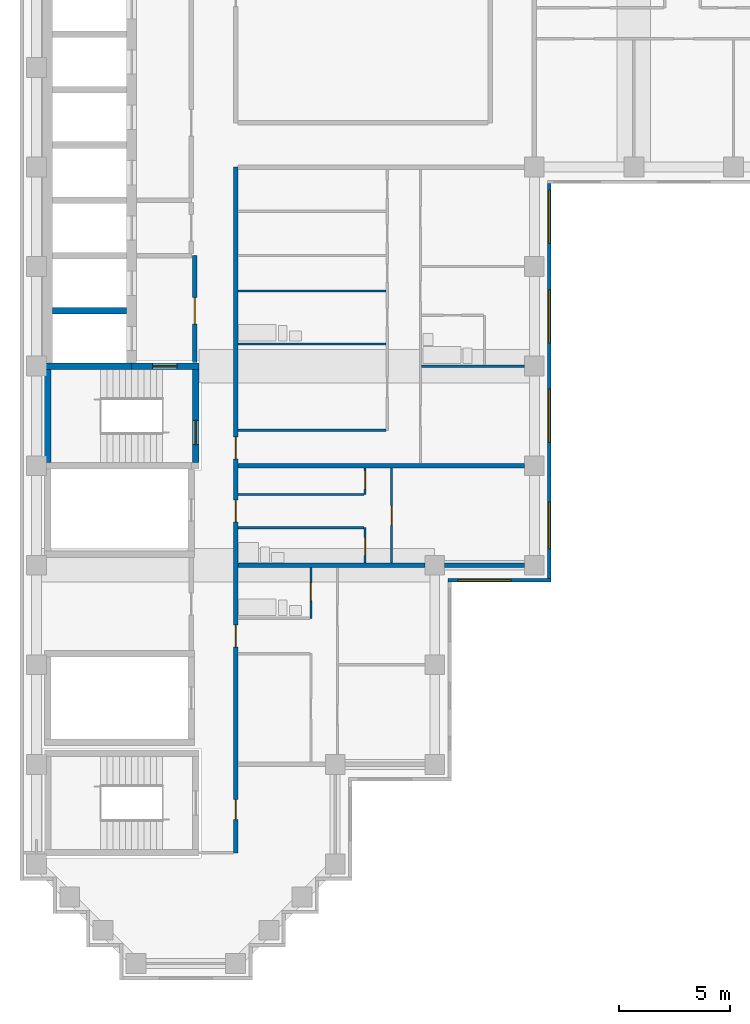
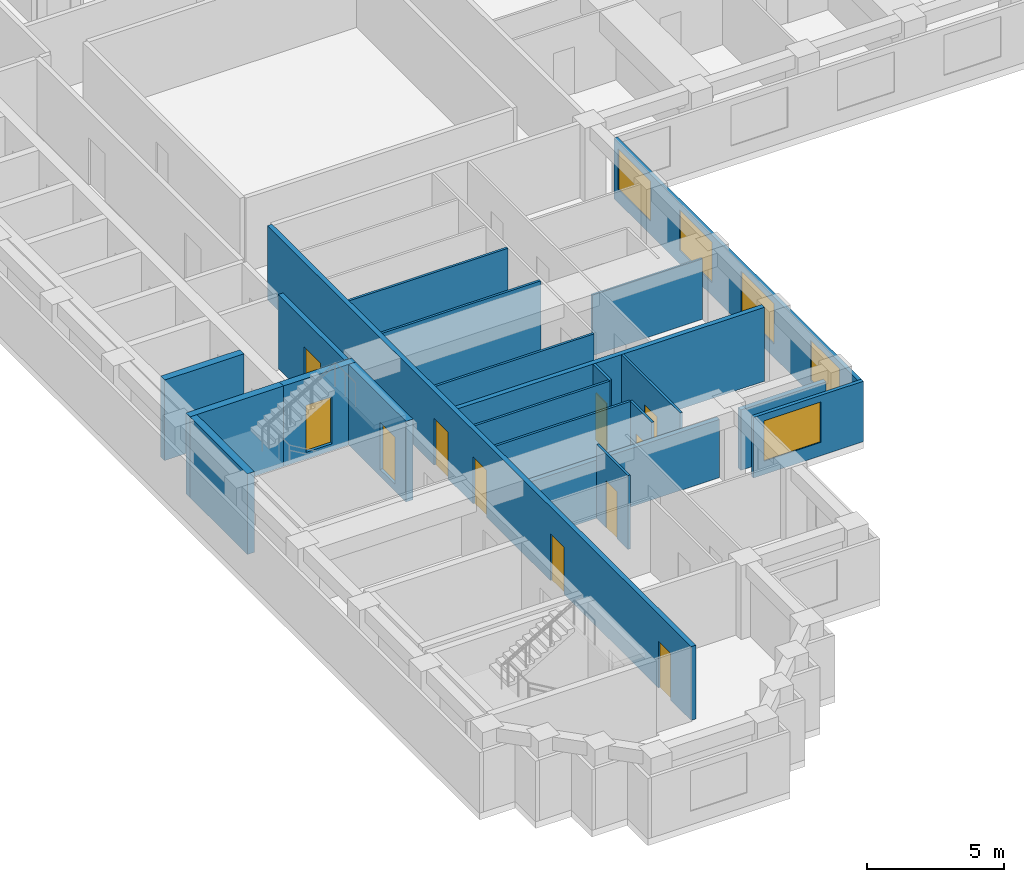
# One storey, part 3 of 10: 22 walls, 11 doors, 5 windows, 16 openings.
"""IFC4 building model written with IfcOpenShell, lengths in metres."""

from ifc_helpers import new_model, si_unit, direction, frame, frame_2d, origin, place, context, subcontext, project, spatial, rectangle, extrude, material, layer, layer_set, type_object, element, fill, save


model = new_model("IFC4")

# Units and contexts
model_context = context("Model", 3, precision=1e-05, world=origin(), true_north=direction((0.0, 1.0)))
body_context = subcontext(model_context, "Body", "Model", "MODEL_VIEW")
ifc_project = project(units=[si_unit("LENGTHUNIT", "METRE"), si_unit("AREAUNIT", "SQUARE_METRE"), si_unit("VOLUMEUNIT", "CUBIC_METRE"), si_unit("PLANEANGLEUNIT", "RADIAN"), si_unit("MASSUNIT", "GRAM", prefix="KILO")], contexts=[model_context])

# Site, building, storey
site_placement = place(None, origin())
site = spatial("IfcSite", under=ifc_project, at=site_placement, CompositionType="ELEMENT")
building_placement = place(site_placement, origin())
building = spatial("IfcBuilding", under=site, at=building_placement, Name="Firuza Court", CompositionType="ELEMENT")
storey_placement = place(building_placement, frame((0.0, 0.0, 189.800048828125)))
storey = spatial("IfcBuildingStorey", under=building, at=storey_placement, Name="L48", CompositionType="ELEMENT", Elevation=189.800048828125)

# Walls
ifc_material_1 = material(Name="Moisture-resistant gypsum board partition")
ifc_layer_1 = layer(ifc_material_1, 0.10009765625)
ifc_layer_set_1 = layer_set([ifc_layer_1], Name="Moisture-resistant gypsum board partition")
wall_type_1 = type_object("IfcWallType", Name="Bathroom partition 100", PredefinedType="PLUMBINGWALL", material=ifc_layer_set_1)
wall_1_placement = place(storey_placement, frame((9.10009765625, 19.699951171875, 0.0), z_axis=(0.0, 0.0, 1.0), x_axis=(1.0, 0.0, 0.0)))
element("IfcWall", 1, at=wall_1_placement, inside=storey, type_object=wall_type_1, Name="Bathroom partition 100 L48", PredefinedType="PLUMBINGWALL", context=body_context, shape_type="SweptSolid", body=[
    extrude(rectangle(XDim=5.699951171875, YDim=0.10009765625, at=frame_2d((2.85009765625, 0.0))), origin(), (0.0, 0.0, 1.0), 3.300048828125),
])
for number, where, z_axis, x_axis, name in (
    (2, (9.10009765625, 28.0, 0.0), (0.0, 0.0, 1.0), (1.0, 0.0, 0.0), "Bathroom partition 100 L48"),
    (3, (9.10009765625, 30.39990234375, 0.0), (0.0, 0.0, 1.0), (1.0, 0.0, 0.0), "Bathroom partition 100 L48"),
):
    element("IfcWall", number, at=place(storey_placement, frame(where, z_axis=z_axis, x_axis=x_axis)), inside=storey, type_object=wall_type_1, Name=name, PredefinedType="PLUMBINGWALL", context=body_context, shape_type="SweptSolid", body=[
        extrude(rectangle(XDim=6.699951171875, YDim=0.10009765625, at=frame_2d((3.35009765625, 0.0))), origin(), (0.0, 0.0, 1.0), 3.300048828125),
    ])
ifc_material_2 = material(Name="Concrete C50/60", Category="concrete")
ifc_layer_2 = layer(ifc_material_2, 0.300048828125)
ifc_layer_set_2 = layer_set([ifc_layer_2], Name="Concrete C50/60")
wall_type_2 = type_object("IfcWallType", Name="Core wall 300 C50/60", PredefinedType="SHEAR", material=ifc_layer_set_2)
wall_2_placement = place(storey_placement, frame((0.35009765625, 27.0, -0.300048828125), z_axis=(0.0, 0.0, 1.0), x_axis=(1.0, 0.0, 0.0)))
element("IfcWall", 4, at=wall_2_placement, inside=storey, type_object=wall_type_2, Name="Core wall lift shaft L48", PredefinedType="SHEAR", context=body_context, shape_type="SweptSolid", body=[
    extrude(rectangle(XDim=3.949951171875, YDim=0.300048828125, at=frame_2d((1.97509765625, 0.0))), origin(), (0.0, 0.0, 1.0), 3.60009765625),
])
wall_3_placement = place(storey_placement, frame((0.5, 22.64990234375, -0.300048828125), z_axis=(0.0, 0.0, 1.0), x_axis=(0.0, 1.0, 0.0)))
element("IfcWall", 5, at=wall_3_placement, inside=storey, type_object=wall_type_2, Name="Core wall stair L48", PredefinedType="SHEAR", context=body_context, shape_type="SweptSolid", body=[
    extrude(rectangle(XDim=4.2001953125, YDim=0.300048828125, at=frame_2d((2.10009765625, 0.0))), origin(), (0.0, 0.0, 1.0), 3.60009765625),
])
wall_4_placement = place(storey_placement, frame((0.72509765625, 29.5, -0.300048828125), z_axis=(0.0, 0.0, 1.0), x_axis=(1.0, 0.0, 0.0)))
element("IfcWall", 6, at=wall_4_placement, inside=storey, type_object=wall_type_2, Name="Core wall lift shaft L48", PredefinedType="SHEAR", context=body_context, shape_type="SweptSolid", body=[
    extrude(rectangle(XDim=3.349853515625, YDim=0.300048828125, at=frame_2d((1.6748046875, 0.0))), origin(), (0.0, 0.0, 1.0), 3.60009765625),
])

# Wall, opening, door
wall_5_placement = place(storey_placement, frame((4.300048828125, 27.0, -0.300048828125), z_axis=(0.0, 0.0, 1.0), x_axis=(1.0, 0.0, 0.0)))
wall_5 = element("IfcWall", 7, at=wall_5_placement, inside=storey, type_object=wall_type_2, Name="Core wall stair L48", PredefinedType="SHEAR", context=body_context, shape_type="SweptSolid", body=[
    extrude(rectangle(XDim=3.050048828125, YDim=0.300048828125, at=frame_2d((1.52490234375, 0.0))), origin(), (0.0, 0.0, 1.0), 3.60009765625),
])
opening_1_placement = place(wall_5_placement, frame((0.949951171875, 0.0, 0.300048828125)))
opening_1 = element("IfcOpeningElement", 8, at=opening_1_placement, cuts=wall_5, Name="Opening D48012", PredefinedType="OPENING", context=body_context, shape_type="SweptSolid", body=[
    extrude(rectangle(XDim=1.10009765625, YDim=2.10009765625, at=frame_2d((0.550048828125, 1.050048828125))), frame((0.0, 0.162109375, 0.0), z_axis=(0.0, -1.0, 0.0), x_axis=(1.0, 0.0, 0.0)), (0.0, 0.0, 1.0), 0.323974609375),
])
ifc_material_3 = material(Name="Timber door leaf in hardwood frame", Category="wood")
door_type_1 = type_object("IfcDoorType", Name="Stair door 1100", OperationType="SINGLE_SWING_LEFT", PredefinedType="DOOR", material=ifc_material_3)
door_1_placement = place(opening_1_placement, frame((1.10009765625, 0.0, 0.0), z_axis=(0.0, 0.0, 1.0), x_axis=(-1.0, 0.0, 0.0)))
door_1 = element("IfcDoor", 9, at=door_1_placement, inside=storey, type_object=door_type_1, Name="Fire-fighting lobby door", OperationType="SINGLE_SWING_LEFT", OverallHeight=2.10009765625, OverallWidth=1.10009765625, PredefinedType="DOOR", context=body_context, shape_type="SweptSolid", body=[
    extrude(rectangle(XDim=1.10009765625, YDim=2.10009765625, at=frame_2d((0.550048828125, 1.050048828125))), frame((0.0, 0.02490234375, 0.0), z_axis=(0.0, -1.0, 0.0), x_axis=(1.0, 0.0, 0.0)), (0.0, 0.0, 1.0), 0.050048828125),
])
fill(opening_1, door_1)

wall_6_placement = place(storey_placement, frame((7.199951171875, 22.64990234375, -0.300048828125), z_axis=(0.0, 0.0, 1.0), x_axis=(0.0, 1.0, 0.0)))
wall_6 = element("IfcWall", 10, at=wall_6_placement, inside=storey, type_object=wall_type_2, Name="Core wall stair L48", PredefinedType="SHEAR", context=body_context, shape_type="SweptSolid", body=[
    extrude(rectangle(XDim=4.2001953125, YDim=0.300048828125, at=frame_2d((2.10009765625, 0.0))), origin(), (0.0, 0.0, 1.0), 3.60009765625),
])
opening_2_placement = place(wall_6_placement, frame((0.800048828125, 0.0, 0.300048828125)))
opening_2 = element("IfcOpeningElement", 11, at=opening_2_placement, cuts=wall_6, Name="Opening D48013", PredefinedType="OPENING", context=body_context, shape_type="SweptSolid", body=[
    extrude(rectangle(XDim=1.10009765625, YDim=2.10009765625, at=frame_2d((0.550048828125, 1.050048828125))), frame((0.0, 0.162109375, 0.0), z_axis=(0.0, -1.0, 0.0), x_axis=(1.0, 0.0, 0.0)), (0.0, 0.0, 1.0), 0.323974609375),
])
door_2_placement = place(opening_2_placement, origin())
door_2 = element("IfcDoor", 12, at=door_2_placement, inside=storey, type_object=door_type_1, Name="Stair door S2", OperationType="SINGLE_SWING_LEFT", OverallHeight=2.10009765625, OverallWidth=1.10009765625, PredefinedType="DOOR", context=body_context, shape_type="SweptSolid", body=[
    extrude(rectangle(XDim=1.10009765625, YDim=2.10009765625, at=frame_2d((0.550048828125, 1.050048828125))), frame((0.0, 0.02490234375, 0.0), z_axis=(0.0, -1.0, 0.0), x_axis=(1.0, 0.0, 0.0)), (0.0, 0.0, 1.0), 0.050048828125),
])
fill(opening_2, door_2)

# Wall, openings, doors
ifc_material_4 = material(Name="Blockwork, plastered both sides", Category="masonry")
ifc_layer_3 = layer(ifc_material_4, 0.199951171875)
ifc_layer_set_3 = layer_set([ifc_layer_3], Name="Blockwork, plastered both sides")
wall_type_3 = type_object("IfcWallType", Name="Corridor wall 200", PredefinedType="PARTITIONING", material=ifc_layer_set_3)
wall_7_placement = place(storey_placement, frame((9.0, 5.0, 0.0), z_axis=(0.0, 0.0, 1.0), x_axis=(0.0, 1.0, 0.0)))
wall_7 = element("IfcWall", 13, at=wall_7_placement, inside=storey, type_object=wall_type_3, Name="Corridor wall 200 L48", PredefinedType="PARTITIONING", context=body_context, shape_type="SweptSolid", body=[
    extrude(rectangle(XDim=31.0, YDim=0.199951171875, at=frame_2d((15.5, 0.0))), origin(), (0.0, 0.0, 1.0), 3.300048828125),
])
opening_3_placement = place(wall_7_placement, frame((17.800048828125, 0.0, 0.0)))
opening_3 = element("IfcOpeningElement", 14, at=opening_3_placement, cuts=wall_7, Name="Opening D48016", PredefinedType="OPENING", context=body_context, shape_type="SweptSolid", body=[
    extrude(rectangle(XDim=1.0, YDim=2.10009765625, at=frame_2d((0.5, 1.050048828125))), frame((0.0, 0.11181640625, 0.0), z_axis=(0.0, -1.0, 0.0), x_axis=(1.0, 0.0, 0.0)), (0.0, 0.0, 1.0), 0.223876953125),
])
opening_4_placement = place(wall_7_placement, frame((14.949951171875, 0.0, 0.0)))
opening_4 = element("IfcOpeningElement", 15, at=opening_4_placement, cuts=wall_7, Name="Opening D48017", PredefinedType="OPENING", context=body_context, shape_type="SweptSolid", body=[
    extrude(rectangle(XDim=1.0, YDim=2.10009765625, at=frame_2d((0.5, 1.050048828125))), frame((0.0, 0.11181640625, 0.0), z_axis=(0.0, -1.0, 0.0), x_axis=(1.0, 0.0, 0.0)), (0.0, 0.0, 1.0), 0.223876953125),
])
opening_5_placement = place(wall_7_placement, frame((9.300048828125, 0.0, 0.0)))
opening_5 = element("IfcOpeningElement", 16, at=opening_5_placement, cuts=wall_7, Name="Opening D48018", PredefinedType="OPENING", context=body_context, shape_type="SweptSolid", body=[
    extrude(rectangle(XDim=1.0, YDim=2.10009765625, at=frame_2d((0.5, 1.050048828125))), frame((0.0, 0.11181640625, 0.0), z_axis=(0.0, -1.0, 0.0), x_axis=(1.0, 0.0, 0.0)), (0.0, 0.0, 1.0), 0.223876953125),
])
opening_6_placement = place(wall_7_placement, frame((1.5, 0.0, 0.0)))
opening_6 = element("IfcOpeningElement", 17, at=opening_6_placement, cuts=wall_7, Name="Opening D48019", PredefinedType="OPENING", context=body_context, shape_type="SweptSolid", body=[
    extrude(rectangle(XDim=0.89990234375, YDim=2.10009765625, at=frame_2d((0.449951171875, 1.050048828125))), frame((0.0, 0.11181640625, 0.0), z_axis=(0.0, -1.0, 0.0), x_axis=(1.0, 0.0, 0.0)), (0.0, 0.0, 1.0), 0.223876953125),
])
ifc_material_5 = material(Name="Timber door leaf in hardwood frame", Category="wood")
door_type_2 = type_object("IfcDoorType", Name="Flat entrance door 1000", OperationType="SINGLE_SWING_LEFT", PredefinedType="DOOR", material=ifc_material_5)
door_3_placement = place(opening_3_placement, origin())
door_3 = element("IfcDoor", 18, at=door_3_placement, inside=storey, type_object=door_type_2, Name="Flat entrance door", OperationType="SINGLE_SWING_LEFT", OverallHeight=2.10009765625, OverallWidth=1.0, PredefinedType="DOOR", context=body_context, shape_type="SweptSolid", body=[
    extrude(rectangle(XDim=1.0, YDim=2.10009765625, at=frame_2d((0.5, 1.050048828125))), frame((0.0, 0.02490234375, 0.0), z_axis=(0.0, -1.0, 0.0), x_axis=(1.0, 0.0, 0.0)), (0.0, 0.0, 1.0), 0.050048828125),
])
fill(opening_3, door_3)
door_4_placement = place(opening_4_placement, origin())
door_4 = element("IfcDoor", 19, at=door_4_placement, inside=storey, type_object=door_type_2, Name="Flat entrance door", OperationType="SINGLE_SWING_LEFT", OverallHeight=2.10009765625, OverallWidth=1.0, PredefinedType="DOOR", context=body_context, shape_type="SweptSolid", body=[
    extrude(rectangle(XDim=1.0, YDim=2.10009765625, at=frame_2d((0.5, 1.050048828125))), frame((0.0, 0.02490234375, 0.0), z_axis=(0.0, -1.0, 0.0), x_axis=(1.0, 0.0, 0.0)), (0.0, 0.0, 1.0), 0.050048828125),
])
fill(opening_4, door_4)
door_5_placement = place(opening_5_placement, origin())
door_5 = element("IfcDoor", 20, at=door_5_placement, inside=storey, type_object=door_type_2, Name="Flat entrance door", OperationType="SINGLE_SWING_LEFT", OverallHeight=2.10009765625, OverallWidth=1.0, PredefinedType="DOOR", context=body_context, shape_type="SweptSolid", body=[
    extrude(rectangle(XDim=1.0, YDim=2.10009765625, at=frame_2d((0.5, 1.050048828125))), frame((0.0, 0.02490234375, 0.0), z_axis=(0.0, -1.0, 0.0), x_axis=(1.0, 0.0, 0.0)), (0.0, 0.0, 1.0), 0.050048828125),
])
fill(opening_5, door_5)
ifc_material_6 = material(Name="Timber door leaf in hardwood frame", Category="wood")
door_type_3 = type_object("IfcDoorType", Name="Room door 900 EI 30", OperationType="SINGLE_SWING_LEFT", PredefinedType="DOOR", material=ifc_material_6)
door_6_placement = place(opening_6_placement, frame((0.89990234375, 0.0, 0.0), z_axis=(0.0, 0.0, 1.0), x_axis=(-1.0, 0.0, 0.0)))
door_6 = element("IfcDoor", 21, at=door_6_placement, inside=storey, type_object=door_type_3, Name="Library door", OperationType="SINGLE_SWING_LEFT", OverallHeight=2.10009765625, OverallWidth=0.89990234375, PredefinedType="DOOR", context=body_context, shape_type="SweptSolid", body=[
    extrude(rectangle(XDim=0.89990234375, YDim=2.10009765625, at=frame_2d((0.449951171875, 1.050048828125))), frame((0.0, 0.02490234375, 0.0), z_axis=(0.0, -1.0, 0.0), x_axis=(1.0, 0.0, 0.0)), (0.0, 0.0, 1.0), 0.050048828125),
])
fill(opening_6, door_6)

# Wall, opening, door
ifc_material_7 = material(Name="Timber stud partition, plasterboard both sides", Category="wood")
ifc_layer_4 = layer(ifc_material_7, 0.10009765625)
ifc_layer_set_4 = layer_set([ifc_layer_4], Name="Timber stud partition, plasterboard both sides")
wall_type_4 = type_object("IfcWallType", Name="Partition wall 100", PredefinedType="PARTITIONING", material=ifc_layer_set_4)
wall_8_placement = place(storey_placement, frame((12.39990234375, 15.60009765625, 0.0), z_axis=(0.0, 0.0, 1.0), x_axis=(0.0, 1.0, 0.0)))
wall_8 = element("IfcWall", 22, at=wall_8_placement, inside=storey, type_object=wall_type_4, Name="Partition wall 100 L48", PredefinedType="PARTITIONING", context=body_context, shape_type="SweptSolid", body=[
    extrude(rectangle(XDim=2.2998046875, YDim=0.10009765625, at=frame_2d((1.14990234375, 0.0))), origin(), (0.0, 0.0, 1.0), 3.300048828125),
])
opening_7_placement = place(wall_8_placement, frame((0.800048828125, 0.0, 0.0)))
opening_7 = element("IfcOpeningElement", 23, at=opening_7_placement, cuts=wall_8, Name="Opening D48024", PredefinedType="OPENING", context=body_context, shape_type="SweptSolid", body=[
    extrude(rectangle(XDim=0.800048828125, YDim=2.10009765625, at=frame_2d((0.39990234375, 1.050048828125))), frame((0.0, 0.06201171875, 0.0), z_axis=(0.0, -1.0, 0.0), x_axis=(1.0, 0.0, 0.0)), (0.0, 0.0, 1.0), 0.1240234375),
])
ifc_material_8 = material(Name="Timber door leaf in hardwood frame", Category="wood")
door_type_4 = type_object("IfcDoorType", Name="Bathroom door 800", OperationType="SINGLE_SWING_LEFT", PredefinedType="DOOR", material=ifc_material_8)
door_7_placement = place(opening_7_placement, origin())
door_7 = element("IfcDoor", 24, at=door_7_placement, inside=storey, type_object=door_type_4, Name="Bathroom door", OperationType="SINGLE_SWING_LEFT", OverallHeight=2.10009765625, OverallWidth=0.800048828125, PredefinedType="DOOR", context=body_context, shape_type="SweptSolid", body=[
    extrude(rectangle(XDim=0.800048828125, YDim=2.10009765625, at=frame_2d((0.39990234375, 1.050048828125))), frame((0.0, 0.02490234375, 0.0), z_axis=(0.0, -1.0, 0.0), x_axis=(1.0, 0.0, 0.0)), (0.0, 0.0, 1.0), 0.050048828125),
])
fill(opening_7, door_7)

wall_9_placement = place(storey_placement, frame((14.85009765625, 18.10009765625, 0.0), z_axis=(0.0, 0.0, 1.0), x_axis=(0.0, 1.0, 0.0)))
wall_9 = element("IfcWall", 25, at=wall_9_placement, inside=storey, type_object=wall_type_4, Name="Partition wall 100 L48", PredefinedType="PARTITIONING", context=body_context, shape_type="SweptSolid", body=[
    extrude(rectangle(XDim=1.599853515625, YDim=0.10009765625, at=frame_2d((0.7998046875, 0.0))), origin(), (0.0, 0.0, 1.0), 3.300048828125),
])
opening_8_placement = place(wall_9_placement, frame((0.35009765625, 0.0, 0.0)))
opening_8 = element("IfcOpeningElement", 26, at=opening_8_placement, cuts=wall_9, Name="Opening D48025", PredefinedType="OPENING", context=body_context, shape_type="SweptSolid", body=[
    extrude(rectangle(XDim=0.800048828125, YDim=2.10009765625, at=frame_2d((0.39990234375, 1.050048828125))), frame((0.0, 0.06201171875, 0.0), z_axis=(0.0, -1.0, 0.0), x_axis=(1.0, 0.0, 0.0)), (0.0, 0.0, 1.0), 0.1240234375),
])
door_8_placement = place(opening_8_placement, origin())
door_8 = element("IfcDoor", 27, at=door_8_placement, inside=storey, type_object=door_type_4, Name="Bathroom door", OperationType="SINGLE_SWING_LEFT", OverallHeight=2.10009765625, OverallWidth=0.800048828125, PredefinedType="DOOR", context=body_context, shape_type="SweptSolid", body=[
    extrude(rectangle(XDim=0.800048828125, YDim=2.10009765625, at=frame_2d((0.39990234375, 1.050048828125))), frame((0.0, 0.02490234375, 0.0), z_axis=(0.0, -1.0, 0.0), x_axis=(1.0, 0.0, 0.0)), (0.0, 0.0, 1.0), 0.050048828125),
])
fill(opening_8, door_8)

wall_10_placement = place(storey_placement, frame((16.050048828125, 18.10009765625, 0.0), z_axis=(0.0, 0.0, 1.0), x_axis=(0.0, 1.0, 0.0)))
wall_10 = element("IfcWall", 28, at=wall_10_placement, inside=storey, type_object=wall_type_4, Name="Partition wall 100 L48", PredefinedType="PARTITIONING", context=body_context, shape_type="SweptSolid", body=[
    extrude(rectangle(XDim=4.2998046875, YDim=0.10009765625, at=frame_2d((2.14990234375, 0.0))), origin(), (0.0, 0.0, 1.0), 3.300048828125),
])
opening_9_placement = place(wall_10_placement, frame((1.699951171875, 0.0, 0.0)))
opening_9 = element("IfcOpeningElement", 29, at=opening_9_placement, cuts=wall_10, Name="Opening D48026", PredefinedType="OPENING", context=body_context, shape_type="SweptSolid", body=[
    extrude(rectangle(XDim=0.89990234375, YDim=2.10009765625, at=frame_2d((0.449951171875, 1.050048828125))), frame((0.0, 0.06201171875, 0.0), z_axis=(0.0, -1.0, 0.0), x_axis=(1.0, 0.0, 0.0)), (0.0, 0.0, 1.0), 0.1240234375),
])
ifc_material_9 = material(Name="Timber door leaf in hardwood frame", Category="wood")
door_type_5 = type_object("IfcDoorType", Name="Room door 900", OperationType="SINGLE_SWING_LEFT", PredefinedType="DOOR", material=ifc_material_9)
door_9_placement = place(opening_9_placement, frame((0.89990234375, 0.0, 0.0), z_axis=(0.0, 0.0, 1.0), x_axis=(-1.0, 0.0, 0.0)))
door_9 = element("IfcDoor", 30, at=door_9_placement, inside=storey, type_object=door_type_5, Name="Studio room door", OperationType="SINGLE_SWING_RIGHT", OverallHeight=2.10009765625, OverallWidth=0.89990234375, PredefinedType="DOOR", context=body_context, shape_type="SweptSolid", body=[
    extrude(rectangle(XDim=0.89990234375, YDim=2.10009765625, at=frame_2d((0.449951171875, 1.050048828125))), frame((0.0, 0.02490234375, 0.0), z_axis=(0.0, -1.0, 0.0), x_axis=(1.0, 0.0, 0.0)), (0.0, 0.0, 1.0), 0.050048828125),
])
fill(opening_9, door_9)

# Wall
wall_11_placement = place(storey_placement, frame((9.10009765625, 21.199951171875, 0.0), z_axis=(0.0, 0.0, 1.0), x_axis=(1.0, 0.0, 0.0)))
element("IfcWall", 31, at=wall_11_placement, inside=storey, type_object=wall_type_4, Name="Partition wall 100 L48", PredefinedType="PARTITIONING", context=body_context, shape_type="SweptSolid", body=[
    extrude(rectangle(XDim=5.699951171875, YDim=0.10009765625, at=frame_2d((2.85009765625, 0.0))), origin(), (0.0, 0.0, 1.0), 3.300048828125),
])

# Wall, opening, door
wall_12_placement = place(storey_placement, frame((14.85009765625, 21.199951171875, 0.0), z_axis=(0.0, 0.0, 1.0), x_axis=(0.0, 1.0, 0.0)))
wall_12 = element("IfcWall", 32, at=wall_12_placement, inside=storey, type_object=wall_type_4, Name="Partition wall 100 L48", PredefinedType="PARTITIONING", context=body_context, shape_type="SweptSolid", body=[
    extrude(rectangle(XDim=1.199951171875, YDim=0.10009765625, at=frame_2d((0.60009765625, 0.0))), origin(), (0.0, 0.0, 1.0), 3.300048828125),
])
opening_10_placement = place(wall_12_placement, frame((0.25, 0.0, 0.0)))
opening_10 = element("IfcOpeningElement", 33, at=opening_10_placement, cuts=wall_12, Name="Opening D48027", PredefinedType="OPENING", context=body_context, shape_type="SweptSolid", body=[
    extrude(rectangle(XDim=0.800048828125, YDim=2.10009765625, at=frame_2d((0.39990234375, 1.050048828125))), frame((0.0, 0.06201171875, 0.0), z_axis=(0.0, -1.0, 0.0), x_axis=(1.0, 0.0, 0.0)), (0.0, 0.0, 1.0), 0.1240234375),
])
ifc_material_10 = material(Name="Timber door leaf in hardwood frame", Category="wood")
door_type_6 = type_object("IfcDoorType", Name="Room door 800", OperationType="SINGLE_SWING_LEFT", PredefinedType="DOOR", material=ifc_material_10)
door_10_placement = place(opening_10_placement, origin())
door_10 = element("IfcDoor", 34, at=door_10_placement, inside=storey, type_object=door_type_6, Name="Kitchen door", OperationType="SINGLE_SWING_LEFT", OverallHeight=2.10009765625, OverallWidth=0.800048828125, PredefinedType="DOOR", context=body_context, shape_type="SweptSolid", body=[
    extrude(rectangle(XDim=0.800048828125, YDim=2.10009765625, at=frame_2d((0.39990234375, 1.050048828125))), frame((0.0, 0.02490234375, 0.0), z_axis=(0.0, -1.0, 0.0), x_axis=(1.0, 0.0, 0.0)), (0.0, 0.0, 1.0), 0.050048828125),
])
fill(opening_10, door_10)

# Walls
wall_13_placement = place(storey_placement, frame((9.10009765625, 24.10009765625, 0.0), z_axis=(0.0, 0.0, 1.0), x_axis=(1.0, 0.0, 0.0)))
element("IfcWall", 35, at=wall_13_placement, inside=storey, type_object=wall_type_4, Name="Partition wall 100 L48", PredefinedType="PARTITIONING", context=body_context, shape_type="SweptSolid", body=[
    extrude(rectangle(XDim=6.699951171875, YDim=0.10009765625, at=frame_2d((3.35009765625, 0.0))), origin(), (0.0, 0.0, 1.0), 3.300048828125),
])
wall_14_placement = place(storey_placement, frame((17.39990234375, 27.0, 0.0), z_axis=(0.0, 0.0, 1.0), x_axis=(1.0, 0.0, 0.0)))
element("IfcWall", 36, at=wall_14_placement, inside=storey, type_object=wall_type_4, Name="Partition wall 100 L48", PredefinedType="PARTITIONING", context=body_context, shape_type="SweptSolid", body=[
    extrude(rectangle(XDim=4.650146484375, YDim=0.10009765625, at=frame_2d((2.3251953125, 0.0))), origin(), (0.0, 0.0, 1.0), 2.699951171875),
])
ifc_layer_5 = layer(ifc_material_4, 0.199951171875)
ifc_layer_set_5 = layer_set([ifc_layer_5], Name="Blockwork, plastered both sides")
wall_type_5 = type_object("IfcWallType", Name="Party wall 200", PredefinedType="PARTITIONING", material=ifc_layer_set_5)
wall_15_placement = place(storey_placement, frame((9.10009765625, 18.0, 0.0), z_axis=(0.0, 0.0, 1.0), x_axis=(1.0, 0.0, 0.0)))
element("IfcWall", 37, at=wall_15_placement, inside=storey, type_object=wall_type_5, Name="Party wall 200 L48", PredefinedType="PARTITIONING", context=body_context, shape_type="SweptSolid", body=[
    extrude(rectangle(XDim=8.449951171875, YDim=0.199951171875, at=frame_2d((4.22509765625, 0.0))), origin(), (0.0, 0.0, 1.0), 2.599853515625),
])
wall_16_placement = place(storey_placement, frame((18.449951171875, 18.0, 0.0), z_axis=(0.0, 0.0, 1.0), x_axis=(1.0, 0.0, 0.0)))
element("IfcWall", 38, at=wall_16_placement, inside=storey, type_object=wall_type_5, Name="Party wall 200 L48", PredefinedType="PARTITIONING", context=body_context, shape_type="SweptSolid", body=[
    extrude(rectangle(XDim=3.60009765625, YDim=0.199951171875, at=frame_2d((1.800048828125, 0.0))), origin(), (0.0, 0.0, 1.0), 2.699951171875),
])
wall_17_placement = place(storey_placement, frame((9.10009765625, 22.5, 0.0), z_axis=(0.0, 0.0, 1.0), x_axis=(1.0, 0.0, 0.0)))
element("IfcWall", 39, at=wall_17_placement, inside=storey, type_object=wall_type_5, Name="Party wall 200 L48", PredefinedType="PARTITIONING", context=body_context, shape_type="SweptSolid", body=[
    extrude(rectangle(XDim=12.949951171875, YDim=0.199951171875, at=frame_2d((6.47509765625, 0.0))), origin(), (0.0, 0.0, 1.0), 3.300048828125),
])

# Wall, opening, window
ifc_material_11 = material(Name="Ceramic tile", Category="ceramic")
ifc_layer_6 = layer(ifc_material_11, 0.02001953125)
ifc_material_12 = material(Name="Mineral wool insulation", Category="insulation")
ifc_layer_7 = layer(ifc_material_12, 0.050048828125)
ifc_material_13 = material(Name="Concrete C40/50 precast", Category="concrete")
ifc_layer_8 = layer(ifc_material_13, 0.080078125)
ifc_layer_set_6 = layer_set([ifc_layer_6, ifc_layer_7, ifc_layer_8], Name="Concrete C40/50 precast")
wall_type_6 = type_object("IfcWallType", Name="Precast cladding wall with turquoise TILE PANEL face 150", PredefinedType="STANDARD", material=ifc_layer_set_6)
wall_18_placement = place(storey_placement, frame((18.60009765625, 17.324951171875, 0.0), z_axis=(0.0, 0.0, 1.0), x_axis=(1.0, 0.0, 0.0)))
wall_18 = element("IfcWall", 40, at=wall_18_placement, inside=storey, type_object=wall_type_6, Name="Facade wall L48 S", PredefinedType="STANDARD", context=body_context, shape_type="SweptSolid", body=[
    extrude(rectangle(XDim=4.64990234375, YDim=0.14990234375, at=frame_2d((2.324951171875, 0.0))), origin(), (0.0, 0.0, 1.0), 2.699951171875),
])
opening_11_placement = place(wall_18_placement, frame((0.449951171875, 0.0, 0.60009765625)))
opening_11 = element("IfcOpeningElement", 41, at=opening_11_placement, cuts=wall_18, Name="Opening W1", PredefinedType="OPENING", context=body_context, shape_type="SweptSolid", body=[
    extrude(rectangle(XDim=2.39990234375, YDim=1.800048828125, at=frame_2d((1.199951171875, 0.89990234375))), frame((0.0, 0.0869140625, 0.0), z_axis=(0.0, -1.0, 0.0), x_axis=(1.0, 0.0, 0.0)), (0.0, 0.0, 1.0), 0.173828125),
])
ifc_material_14 = material(Name="Aluminium frame, triple clear glazing", Category="aluminium")
window_type_1 = type_object("IfcWindowType", Name="Window W1 2400 x 1800", PartitioningType="SINGLE_PANEL", PredefinedType="WINDOW", material=ifc_material_14)
window_1_placement = place(opening_11_placement, origin())
window_1 = element("IfcWindow", 42, at=window_1_placement, inside=storey, type_object=window_type_1, Name="Window L48", OverallHeight=1.800048828125, OverallWidth=2.39990234375, PartitioningType="SINGLE_PANEL", PredefinedType="WINDOW", context=body_context, shape_type="SweptSolid", body=[
    extrude(rectangle(XDim=2.39990234375, YDim=1.800048828125, at=frame_2d((1.199951171875, 0.89990234375))), frame((0.0, 0.030029296875, 0.0), z_axis=(0.0, -1.0, 0.0), x_axis=(1.0, 0.0, 0.0)), (0.0, 0.0, 1.0), 0.06005859375),
])
fill(opening_11, window_1)

# Wall, openings, windows
wall_19_placement = place(storey_placement, frame((23.175048828125, 17.39990234375, 0.0), z_axis=(0.0, 0.0, 1.0), x_axis=(0.0, 1.0, 0.0)))
wall_19 = element("IfcWall", 43, at=wall_19_placement, inside=storey, type_object=wall_type_6, Name="Facade wall L48 E", PredefinedType="STANDARD", context=body_context, shape_type="SweptSolid", body=[
    extrude(rectangle(XDim=17.85009765625, YDim=0.14990234375, at=frame_2d((8.925048828125, 0.0))), origin(), (0.0, 0.0, 1.0), 2.699951171875),
])
opening_12_placement = place(wall_19_placement, frame((1.350341796875, 0.0, 0.60009765625)))
opening_12 = element("IfcOpeningElement", 44, at=opening_12_placement, cuts=wall_19, Name="Opening W6", PredefinedType="OPENING", context=body_context, shape_type="SweptSolid", body=[
    extrude(rectangle(XDim=2.10009765625, YDim=1.800048828125, at=frame_2d((1.050048828125, 0.89990234375))), frame((0.0, 0.0869140625, 0.0), z_axis=(0.0, -1.0, 0.0), x_axis=(1.0, 0.0, 0.0)), (0.0, 0.0, 1.0), 0.173828125),
])
opening_13_placement = place(wall_19_placement, frame((6.14990234375, 0.0, 0.60009765625)))
opening_13 = element("IfcOpeningElement", 45, at=opening_13_placement, cuts=wall_19, Name="Opening W1", PredefinedType="OPENING", context=body_context, shape_type="SweptSolid", body=[
    extrude(rectangle(XDim=2.39990234375, YDim=1.800048828125, at=frame_2d((1.199951171875, 0.89990234375))), frame((0.0, 0.0869140625, 0.0), z_axis=(0.0, -1.0, 0.0), x_axis=(1.0, 0.0, 0.0)), (0.0, 0.0, 1.0), 0.173828125),
])
opening_14_placement = place(wall_19_placement, frame((10.64990234375, 0.0, 0.60009765625)))
opening_14 = element("IfcOpeningElement", 46, at=opening_14_placement, cuts=wall_19, Name="Opening W1", PredefinedType="OPENING", context=body_context, shape_type="SweptSolid", body=[
    extrude(rectangle(XDim=2.39990234375, YDim=1.800048828125, at=frame_2d((1.199951171875, 0.89990234375))), frame((0.0, 0.0869140625, 0.0), z_axis=(0.0, -1.0, 0.0), x_axis=(1.0, 0.0, 0.0)), (0.0, 0.0, 1.0), 0.173828125),
])
opening_15_placement = place(wall_19_placement, frame((15.14990234375, 0.0, 0.60009765625)))
opening_15 = element("IfcOpeningElement", 47, at=opening_15_placement, cuts=wall_19, Name="Opening W1", PredefinedType="OPENING", context=body_context, shape_type="SweptSolid", body=[
    extrude(rectangle(XDim=2.39990234375, YDim=1.800048828125, at=frame_2d((1.199951171875, 0.89990234375))), frame((0.0, 0.0869140625, 0.0), z_axis=(0.0, -1.0, 0.0), x_axis=(1.0, 0.0, 0.0)), (0.0, 0.0, 1.0), 0.173828125),
])
window_2_placement = place(opening_13_placement, origin())
window_2 = element("IfcWindow", 48, at=window_2_placement, inside=storey, type_object=window_type_1, Name="Window L48", OverallHeight=1.800048828125, OverallWidth=2.39990234375, PartitioningType="SINGLE_PANEL", PredefinedType="WINDOW", context=body_context, shape_type="SweptSolid", body=[
    extrude(rectangle(XDim=2.39990234375, YDim=1.800048828125, at=frame_2d((1.199951171875, 0.89990234375))), frame((0.0, 0.030029296875, 0.0), z_axis=(0.0, -1.0, 0.0), x_axis=(1.0, 0.0, 0.0)), (0.0, 0.0, 1.0), 0.06005859375),
])
fill(opening_13, window_2)
window_3_placement = place(opening_14_placement, origin())
window_3 = element("IfcWindow", 49, at=window_3_placement, inside=storey, type_object=window_type_1, Name="Window L48", OverallHeight=1.800048828125, OverallWidth=2.39990234375, PartitioningType="SINGLE_PANEL", PredefinedType="WINDOW", context=body_context, shape_type="SweptSolid", body=[
    extrude(rectangle(XDim=2.39990234375, YDim=1.800048828125, at=frame_2d((1.199951171875, 0.89990234375))), frame((0.0, 0.030029296875, 0.0), z_axis=(0.0, -1.0, 0.0), x_axis=(1.0, 0.0, 0.0)), (0.0, 0.0, 1.0), 0.06005859375),
])
fill(opening_14, window_3)
window_4_placement = place(opening_15_placement, origin())
window_4 = element("IfcWindow", 50, at=window_4_placement, inside=storey, type_object=window_type_1, Name="Window L48", OverallHeight=1.800048828125, OverallWidth=2.39990234375, PartitioningType="SINGLE_PANEL", PredefinedType="WINDOW", context=body_context, shape_type="SweptSolid", body=[
    extrude(rectangle(XDim=2.39990234375, YDim=1.800048828125, at=frame_2d((1.199951171875, 0.89990234375))), frame((0.0, 0.030029296875, 0.0), z_axis=(0.0, -1.0, 0.0), x_axis=(1.0, 0.0, 0.0)), (0.0, 0.0, 1.0), 0.06005859375),
])
fill(opening_15, window_4)
ifc_material_15 = material(Name="Aluminium frame, triple clear glazing", Category="aluminium")
window_type_2 = type_object("IfcWindowType", Name="Window W6 2100 x 1800", PartitioningType="SINGLE_PANEL", PredefinedType="WINDOW", material=ifc_material_15)
window_5_placement = place(opening_12_placement, origin())
window_5 = element("IfcWindow", 51, at=window_5_placement, inside=storey, type_object=window_type_2, Name="Window L48", OverallHeight=1.800048828125, OverallWidth=2.10009765625, PartitioningType="SINGLE_PANEL", PredefinedType="WINDOW", context=body_context, shape_type="SweptSolid", body=[
    extrude(rectangle(XDim=2.10009765625, YDim=1.800048828125, at=frame_2d((1.050048828125, 0.89990234375))), frame((0.0, 0.030029296875, 0.0), z_axis=(0.0, -1.0, 0.0), x_axis=(1.0, 0.0, 0.0)), (0.0, 0.0, 1.0), 0.06005859375),
])
fill(opening_12, window_5)

# Wall, opening, door
ifc_material_16 = material(Name="Blockwork, fire-rated", Category="masonry")
ifc_layer_9 = layer(ifc_material_16, 0.199951171875)
ifc_layer_set_7 = layer_set([ifc_layer_9], Name="Blockwork, fire-rated")
wall_type_7 = type_object("IfcWallType", Name="Shaft wall 200", PredefinedType="PARTITIONING", material=ifc_layer_set_7)
wall_20_placement = place(storey_placement, frame((7.14990234375, 27.169921875, 0.0), z_axis=(0.0, 0.0, 1.0), x_axis=(0.0, 1.0, 0.0)))
wall_20 = element("IfcWall", 52, at=wall_20_placement, inside=storey, type_object=wall_type_7, Name="Shaft wall 200 L48", PredefinedType="PARTITIONING", context=body_context, shape_type="SweptSolid", body=[
    extrude(rectangle(XDim=4.830078125, YDim=0.199951171875, at=frame_2d((2.4150390625, 0.0))), origin(), (0.0, 0.0, 1.0), 3.300048828125),
])
opening_16_placement = place(wall_20_placement, frame((1.72998046875, 0.0, 0.0)))
opening_16 = element("IfcOpeningElement", 53, at=opening_16_placement, cuts=wall_20, Name="Opening D48002", PredefinedType="OPENING", context=body_context, shape_type="SweptSolid", body=[
    extrude(rectangle(XDim=1.199951171875, YDim=2.10009765625, at=frame_2d((0.60009765625, 1.050048828125))), frame((0.0, 0.11181640625, 0.0), z_axis=(0.0, -1.0, 0.0), x_axis=(1.0, 0.0, 0.0)), (0.0, 0.0, 1.0), 0.223876953125),
])
ifc_material_17 = material(Name="Timber door leaf in hardwood frame", Category="wood")
door_type_7 = type_object("IfcDoorType", Name="Lobby door 1200", OperationType="SINGLE_SWING_LEFT", PredefinedType="DOOR", material=ifc_material_17)
door_11_placement = place(opening_16_placement, origin())
door_11 = element("IfcDoor", 54, at=door_11_placement, inside=storey, type_object=door_type_7, Name="Fire-fighting lobby door", OperationType="SINGLE_SWING_LEFT", OverallHeight=2.10009765625, OverallWidth=1.199951171875, PredefinedType="DOOR", context=body_context, shape_type="SweptSolid", body=[
    extrude(rectangle(XDim=1.199951171875, YDim=2.10009765625, at=frame_2d((0.60009765625, 1.050048828125))), frame((0.0, 0.02490234375, 0.0), z_axis=(0.0, -1.0, 0.0), x_axis=(1.0, 0.0, 0.0)), (0.0, 0.0, 1.0), 0.050048828125),
])
fill(opening_16, door_11)

save(model, "model.ifc")
